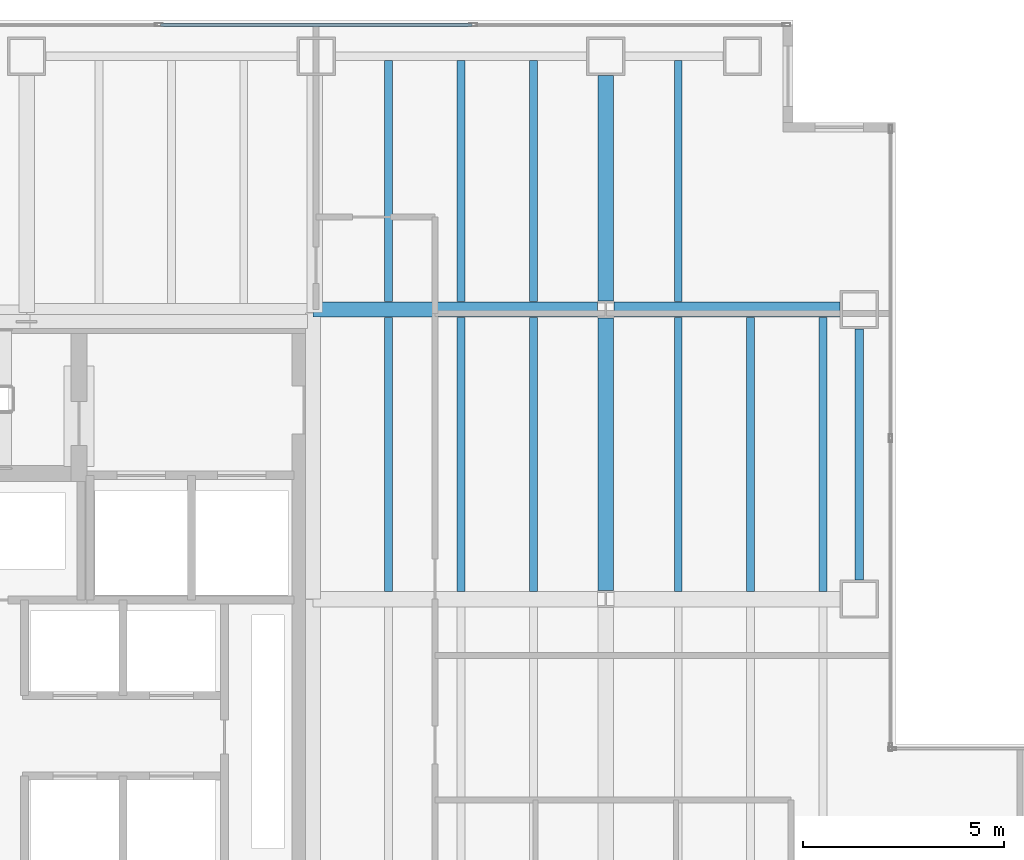
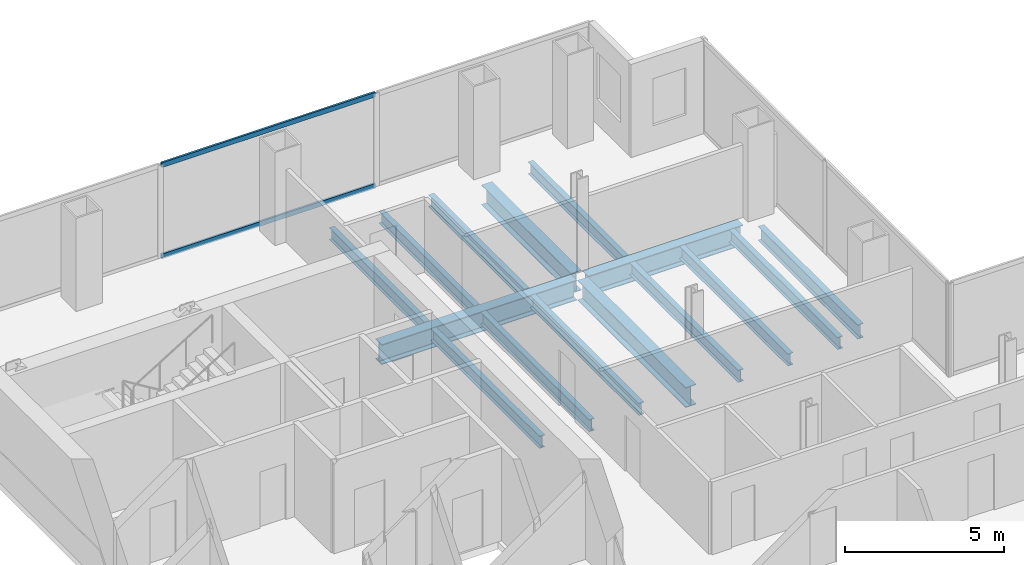
# One storey, part 17 of 23: 15 beams, 2 members, 1 element without a shape of its own.
"""IFC4 building model written with IfcOpenShell, lengths in metres."""

from ifc_helpers import new_model, si_unit, direction, frame, origin, origin_2d, place, context, subcontext, project, spatial, hollow_rectangle, i_section, extrude, material, material_profile, profile_set, type_object, element, aggregate, save


model = new_model("IFC4")

# Units and contexts
model_context = context("Model", 3, precision=1e-05, world=origin(), true_north=direction((0.0, 1.0)))
body_context = subcontext(model_context, "Body", "Model", "MODEL_VIEW")
ifc_project = project(units=[si_unit("LENGTHUNIT", "METRE"), si_unit("AREAUNIT", "SQUARE_METRE"), si_unit("VOLUMEUNIT", "CUBIC_METRE"), si_unit("PLANEANGLEUNIT", "RADIAN"), si_unit("MASSUNIT", "GRAM", prefix="KILO")], contexts=[model_context])

# Site, building, storey
site_placement = place(None, origin())
site = spatial("IfcSite", under=ifc_project, at=site_placement, CompositionType="ELEMENT")
building_placement = place(site_placement, origin())
building = spatial("IfcBuilding", under=site, at=building_placement, Name="Cobrela Telecom Tower", CompositionType="ELEMENT")
storey_placement = place(building_placement, frame((0.0, 0.0, 81.199951171875)))
storey = spatial("IfcBuildingStorey", under=building, at=storey_placement, Name="L20", CompositionType="ELEMENT", Elevation=81.199951171875)

# Beams
ifc_material_1 = material(Name="Steel ASTM A992 Grade 50", Category="steel")
ifc_material_profile_1 = material_profile(ifc_material_1, i_section(OverallWidth=0.381103515625, OverallDepth=0.77197265625, WebThickness=0.0166015625, FlangeThickness=0.027099609375, FilletRadius=0.01904296875, at=origin_2d()), Name="W30X173")
ifc_profile_set_1 = profile_set([ifc_material_profile_1], Name="Steel ASTM A992 Grade 50")
beam_type_1 = type_object("IfcBeamType", Name="BM-GIRD-04", PredefinedType="USERDEFINED", material=ifc_profile_set_1)
beam_1_placement = place(storey_placement, frame((14.324951171875, 36.0, -0.666015625), z_axis=(1.0, 0.0, 0.0), x_axis=(0.0, 1.0, 0.0)))
element("IfcBeam", 1, at=beam_1_placement, inside=storey, type_object=beam_type_1, Name="L20 Primary Girder X27", ObjectType="GIRDER", PredefinedType="USERDEFINED", context=body_context, shape_type="SweptSolid", body=[
    extrude(i_section(OverallWidth=0.381103515625, OverallDepth=0.77197265625, WebThickness=0.0166015625, FlangeThickness=0.027099609375, FilletRadius=0.01904296875, at=origin_2d()), origin(), (0.0, 0.0, 1.0), 7.0654296875),
])
beam_2_placement = place(storey_placement, frame((21.8095703125, 36.0, -0.666015625), z_axis=(1.0, 0.0, 0.0), x_axis=(0.0, 1.0, 0.0)))
element("IfcBeam", 2, at=beam_2_placement, inside=storey, type_object=beam_type_1, Name="L20 Primary Girder X28", ObjectType="GIRDER", PredefinedType="USERDEFINED", context=body_context, shape_type="SweptSolid", body=[
    extrude(i_section(OverallWidth=0.381103515625, OverallDepth=0.77197265625, WebThickness=0.0166015625, FlangeThickness=0.027099609375, FilletRadius=0.01904296875, at=origin_2d()), origin(), (0.0, 0.0, 1.0), 5.6103515625),
])
beam_3_placement = place(storey_placement, frame((21.60009765625, 29.009521484375, -0.666015625), z_axis=(0.0, 1.0, 0.0), x_axis=(-1.0, 0.0, 0.0)))
element("IfcBeam", 3, at=beam_3_placement, inside=storey, type_object=beam_type_1, Name="L20 Primary Girder Y44", ObjectType="GIRDER", PredefinedType="USERDEFINED", context=body_context, shape_type="SweptSolid", body=[
    extrude(i_section(OverallWidth=0.381103515625, OverallDepth=0.77197265625, WebThickness=0.0166015625, FlangeThickness=0.027099609375, FilletRadius=0.01904296875, at=origin_2d()), origin(), (0.0, 0.0, 1.0), 6.781005859375),
])
beam_4_placement = place(storey_placement, frame((21.60009765625, 36.20947265625, -0.666015625), z_axis=(0.0, 1.0, 0.0), x_axis=(-1.0, 0.0, 0.0)))
element("IfcBeam", 4, at=beam_4_placement, inside=storey, type_object=beam_type_1, Name="L20 Primary Girder Y45", ObjectType="GIRDER", PredefinedType="USERDEFINED", context=body_context, shape_type="SweptSolid", body=[
    extrude(i_section(OverallWidth=0.381103515625, OverallDepth=0.77197265625, WebThickness=0.0166015625, FlangeThickness=0.027099609375, FilletRadius=0.01904296875, at=origin_2d()), origin(), (0.0, 0.0, 1.0), 5.610595703125),
])
ifc_material_profile_2 = material_profile(ifc_material_1, i_section(OverallWidth=0.193115234375, OverallDepth=0.467041015625, WebThickness=0.011474609375, FlangeThickness=0.01904296875, FilletRadius=0.012939453125, at=origin_2d()), Name="W18X65")
ifc_profile_set_2 = profile_set([ifc_material_profile_2], Name="Steel ASTM A992 Grade 50")
beam_type_2 = type_object("IfcBeamType", Name="BM-JOIST-03", PredefinedType="JOIST", material=ifc_profile_set_2)
beam_5_placement = place(storey_placement, frame((16.199951171875, 28.99560546875, -0.513427734375), z_axis=(0.0, 1.0, 0.0), x_axis=(-1.0, 0.0, 0.0)))
element("IfcBeam", 5, at=beam_5_placement, inside=storey, type_object=beam_type_2, Name="L20 Secondary Composite Floor Beam J11", PredefinedType="JOIST", context=body_context, shape_type="SweptSolid", body=[
    extrude(i_section(OverallWidth=0.193115234375, OverallDepth=0.467041015625, WebThickness=0.011474609375, FlangeThickness=0.01904296875, FilletRadius=0.012939453125, at=origin_2d()), origin(), (0.0, 0.0, 1.0), 6.808837890625),
])
beam_6_placement = place(storey_placement, frame((16.199951171875, 36.195556640625, -0.513427734375), z_axis=(0.0, 1.0, 0.0), x_axis=(-1.0, 0.0, 0.0)))
element("IfcBeam", 6, at=beam_6_placement, inside=storey, type_object=beam_type_2, Name="L20 Secondary Composite Floor Beam J12", PredefinedType="JOIST", context=body_context, shape_type="SweptSolid", body=[
    extrude(i_section(OverallWidth=0.193115234375, OverallDepth=0.467041015625, WebThickness=0.011474609375, FlangeThickness=0.01904296875, FilletRadius=0.012939453125, at=origin_2d()), origin(), (0.0, 0.0, 1.0), 5.992919921875),
])
beam_7_placement = place(storey_placement, frame((18.0, 28.99560546875, -0.513427734375), z_axis=(0.0, 1.0, 0.0), x_axis=(-1.0, 0.0, 0.0)))
element("IfcBeam", 7, at=beam_7_placement, inside=storey, type_object=beam_type_2, Name="L20 Secondary Composite Floor Beam J17", PredefinedType="JOIST", context=body_context, shape_type="SweptSolid", body=[
    extrude(i_section(OverallWidth=0.193115234375, OverallDepth=0.467041015625, WebThickness=0.011474609375, FlangeThickness=0.01904296875, FilletRadius=0.012939453125, at=origin_2d()), origin(), (0.0, 0.0, 1.0), 6.808837890625),
])
beam_8_placement = place(storey_placement, frame((18.0, 36.195556640625, -0.513427734375), z_axis=(0.0, 1.0, 0.0), x_axis=(-1.0, 0.0, 0.0)))
element("IfcBeam", 8, at=beam_8_placement, inside=storey, type_object=beam_type_2, Name="L20 Secondary Composite Floor Beam J18", PredefinedType="JOIST", context=body_context, shape_type="SweptSolid", body=[
    extrude(i_section(OverallWidth=0.193115234375, OverallDepth=0.467041015625, WebThickness=0.011474609375, FlangeThickness=0.01904296875, FilletRadius=0.012939453125, at=origin_2d()), origin(), (0.0, 0.0, 1.0), 5.992919921875),
])
beam_9_placement = place(storey_placement, frame((19.800048828125, 28.99560546875, -0.513427734375), z_axis=(0.0, 1.0, 0.0), x_axis=(-1.0, 0.0, 0.0)))
element("IfcBeam", 9, at=beam_9_placement, inside=storey, type_object=beam_type_2, Name="L20 Secondary Composite Floor Beam J23", PredefinedType="JOIST", context=body_context, shape_type="SweptSolid", body=[
    extrude(i_section(OverallWidth=0.193115234375, OverallDepth=0.467041015625, WebThickness=0.011474609375, FlangeThickness=0.01904296875, FilletRadius=0.012939453125, at=origin_2d()), origin(), (0.0, 0.0, 1.0), 6.808837890625),
])
beam_10_placement = place(storey_placement, frame((19.800048828125, 36.195556640625, -0.513427734375), z_axis=(0.0, 1.0, 0.0), x_axis=(-1.0, 0.0, 0.0)))
element("IfcBeam", 10, at=beam_10_placement, inside=storey, type_object=beam_type_2, Name="L20 Secondary Composite Floor Beam J24", PredefinedType="JOIST", context=body_context, shape_type="SweptSolid", body=[
    extrude(i_section(OverallWidth=0.193115234375, OverallDepth=0.467041015625, WebThickness=0.011474609375, FlangeThickness=0.01904296875, FilletRadius=0.012939453125, at=origin_2d()), origin(), (0.0, 0.0, 1.0), 5.992919921875),
])
beam_11_placement = place(storey_placement, frame((23.39990234375, 28.99560546875, -0.513427734375), z_axis=(0.0, 1.0, 0.0), x_axis=(-1.0, 0.0, 0.0)))
element("IfcBeam", 11, at=beam_11_placement, inside=storey, type_object=beam_type_2, Name="L20 Secondary Composite Floor Beam J29", PredefinedType="JOIST", context=body_context, shape_type="SweptSolid", body=[
    extrude(i_section(OverallWidth=0.193115234375, OverallDepth=0.467041015625, WebThickness=0.011474609375, FlangeThickness=0.01904296875, FilletRadius=0.012939453125, at=origin_2d()), origin(), (0.0, 0.0, 1.0), 6.808837890625),
])
beam_12_placement = place(storey_placement, frame((23.39990234375, 36.195556640625, -0.513427734375), z_axis=(0.0, 1.0, 0.0), x_axis=(-1.0, 0.0, 0.0)))
element("IfcBeam", 12, at=beam_12_placement, inside=storey, type_object=beam_type_2, Name="L20 Secondary Composite Floor Beam J30", PredefinedType="JOIST", context=body_context, shape_type="SweptSolid", body=[
    extrude(i_section(OverallWidth=0.193115234375, OverallDepth=0.467041015625, WebThickness=0.011474609375, FlangeThickness=0.01904296875, FilletRadius=0.012939453125, at=origin_2d()), origin(), (0.0, 0.0, 1.0), 5.992919921875),
])
for number, where, z_axis, x_axis, name in (
    (13, (25.199951171875, 28.99560546875, -0.513427734375), (0.0, 1.0, 0.0), (-1.0, 0.0, 0.0), "L20 Secondary Composite Floor Beam J35"),
    (14, (27.0, 28.99560546875, -0.513427734375), (0.0, 1.0, 0.0), (-1.0, 0.0, 0.0), "L20 Secondary Composite Floor Beam J40"),
):
    element("IfcBeam", number, at=place(storey_placement, frame(where, z_axis=z_axis, x_axis=x_axis)), inside=storey, type_object=beam_type_2, Name=name, PredefinedType="JOIST", context=body_context, shape_type="SweptSolid", body=[
        extrude(i_section(OverallWidth=0.193115234375, OverallDepth=0.467041015625, WebThickness=0.011474609375, FlangeThickness=0.01904296875, FilletRadius=0.012939453125, at=origin_2d()), origin(), (0.0, 0.0, 1.0), 6.808837890625),
    ])
ifc_material_profile_3 = material_profile(ifc_material_1, i_section(OverallWidth=0.212890625, OverallDepth=0.549072265625, WebThickness=0.0146484375, FlangeThickness=0.023681640625, FilletRadius=0.013916015625, at=origin_2d()), Name="W21X93")
ifc_profile_set_3 = profile_set([ifc_material_profile_3], Name="Steel ASTM A992 Grade 50")
beam_type_3 = type_object("IfcBeamType", Name="BM-SPAND-03", PredefinedType="SPANDREL", material=ifc_profile_set_3)
beam_13_placement = place(storey_placement, frame((27.89990234375, 29.280029296875, -0.554443359375), z_axis=(0.0, 1.0, 0.0), x_axis=(-1.0, 0.0, 0.0)))
element("IfcBeam", 15, at=beam_13_placement, inside=storey, type_object=beam_type_3, Name="L20 Perimeter Spandrel Y46", PredefinedType="SPANDREL", context=body_context, shape_type="SweptSolid", body=[
    extrude(i_section(OverallWidth=0.212890625, OverallDepth=0.549072265625, WebThickness=0.0146484375, FlangeThickness=0.023681640625, FilletRadius=0.013916015625, at=origin_2d()), origin(), (0.0, 0.0, 1.0), 6.239990234375),
])

# Curtain wall, members
ifc_material_2 = material(Name="Anodized Bronze Aluminium 6063-T6", Category="aluminium")
curtain_wall_type = type_object("IfcCurtainWallType", Name="CW-SYS-DATA", PredefinedType="USERDEFINED", material=ifc_material_2)
curtain_wall_placement = place(storey_placement, origin())
curtain_wall = element("IfcCurtainWall", 16, at=curtain_wall_placement, inside=storey, type_object=curtain_wall_type, Name="L20 Unitised Bronze Curtain Wall 07", ObjectType="UNITISED CURTAIN WALL", PredefinedType="USERDEFINED")
ifc_material_profile_4 = material_profile(ifc_material_2, hollow_rectangle(XDim=0.074951171875, YDim=0.179931640625, WallThickness=0.00390625, at=origin_2d()), Name="ALU 75x180x4")
ifc_profile_set_4 = profile_set([ifc_material_profile_4], Name="Anodized Bronze Aluminium 6063-T6")
member_type = type_object("IfcMemberType", Name="CW-SYS-DATA-TRN", PredefinedType="USERDEFINED", material=ifc_profile_set_4)
member_1_placement = place(storey_placement, frame((10.530029296875, 43.080078125, 0.03759765625), z_axis=(1.0, 0.0, 0.0), x_axis=(0.0, 1.0, 0.0)))
member_1 = element("IfcMember", 17, at=member_1_placement, type_object=member_type, Name="CW-DATA transom 2.1", ObjectType="TRANSOM", PredefinedType="USERDEFINED", context=body_context, shape_type="SweptSolid", body=[
    extrude(hollow_rectangle(XDim=0.074951171875, YDim=0.179931640625, WallThickness=0.00390625, at=origin_2d()), origin(), (0.0, 0.0, 1.0), 7.739990234375),
])
member_2_placement = place(storey_placement, frame((10.530029296875, 43.080078125, 3.532470703125), z_axis=(1.0, 0.0, 0.0), x_axis=(0.0, 1.0, 0.0)))
member_2 = element("IfcMember", 18, at=member_2_placement, type_object=member_type, Name="CW-DATA transom 2.2", ObjectType="TRANSOM", PredefinedType="USERDEFINED", context=body_context, shape_type="SweptSolid", body=[
    extrude(hollow_rectangle(XDim=0.074951171875, YDim=0.179931640625, WallThickness=0.00390625, at=origin_2d()), origin(), (0.0, 0.0, 1.0), 7.739990234375),
])
aggregate(curtain_wall, [member_1, member_2])

save(model, "model.ifc")
